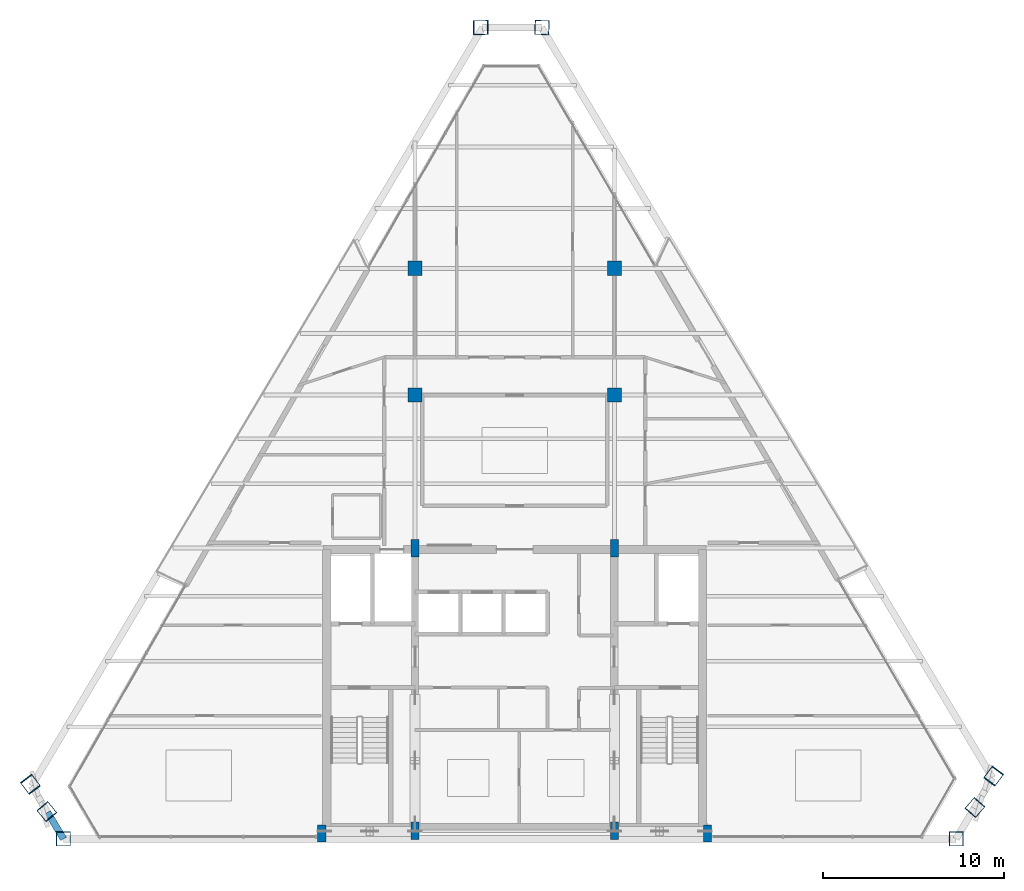
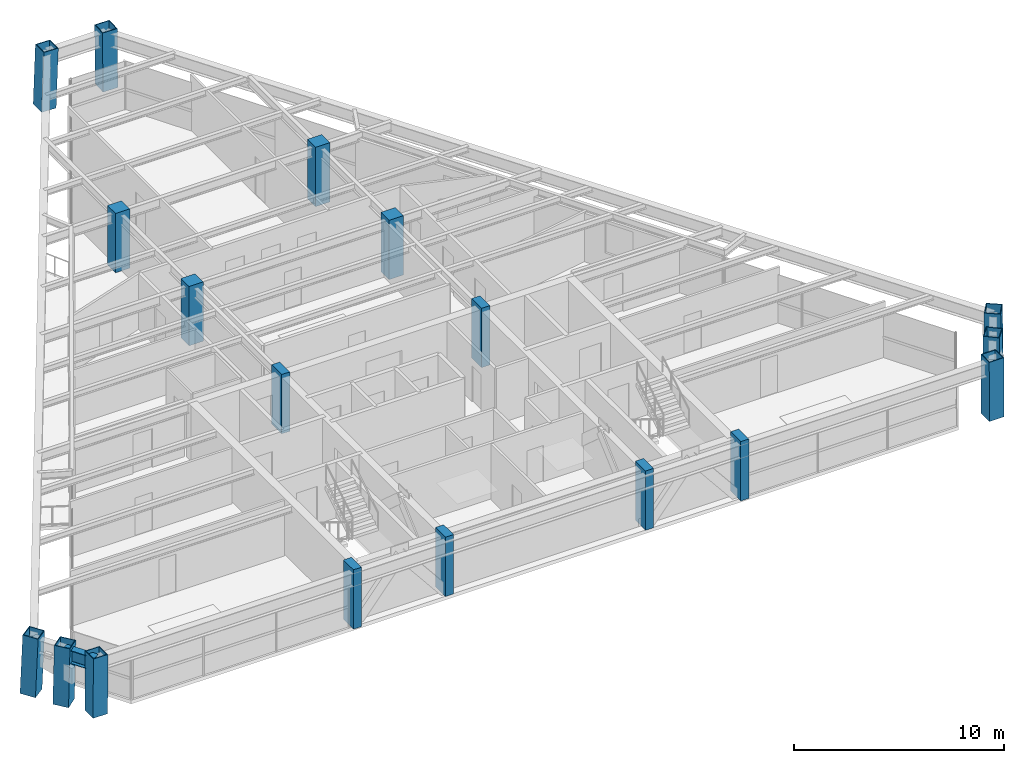
# One storey, part 1 of 13: 18 columns, 1 beam.
"""IFC4 building model written with IfcOpenShell, lengths in metres."""

from ifc_helpers import new_model, si_unit, direction, frame, origin, origin_2d, place, context, subcontext, project, spatial, rectangle, hollow_rectangle, i_section, extrude, source, transform, mapped, material, material_profile, profile_set, type_object, type_shapes, element, save


model = new_model("IFC4")

# Units and contexts
model_context = context("Model", 3, precision=1e-05, world=origin(), true_north=direction((0.0, 1.0)))
body_context = subcontext(model_context, "Body", "Model", "MODEL_VIEW")
ifc_project = project(units=[si_unit("LENGTHUNIT", "METRE"), si_unit("AREAUNIT", "SQUARE_METRE"), si_unit("VOLUMEUNIT", "CUBIC_METRE"), si_unit("PLANEANGLEUNIT", "RADIAN"), si_unit("MASSUNIT", "GRAM", prefix="KILO")], contexts=[model_context])

# Site, building, storey
site_placement = place(None, origin())
site = spatial("IfcSite", under=ifc_project, at=site_placement, CompositionType="ELEMENT")
building_placement = place(site_placement, origin())
building = spatial("IfcBuilding", under=site, at=building_placement, Name="Varnakhor Terracotta Tower", CompositionType="ELEMENT")
storey_placement = place(building_placement, frame((0.0, 0.0, 286.800048828125)))
storey = spatial("IfcBuildingStorey", under=building, at=storey_placement, Name="L75", CompositionType="ELEMENT", Elevation=286.800048828125)

# Columns
ifc_material_1 = material(Name="Concrete C50/60", Category="concrete")
ifc_material_profile_1 = material_profile(ifc_material_1, rectangle(XDim=0.449951171875, YDim=0.949951171875, at=origin_2d()), Name="RC PILASTER 950x450")
ifc_profile_set_1 = profile_set([ifc_material_profile_1], Name="Concrete C50/60")
column_type_1 = type_object("IfcColumnType", Name="COL-PIL-950x450", PredefinedType="PILASTER", material=ifc_profile_set_1)
shared_shape_1 = source(origin(), body_context, "Body", "SweptSolid", [
    extrude(rectangle(XDim=0.449951171875, YDim=0.949951171875, at=origin_2d()), origin(), (0.0, 0.0, 1.0), 3.449951171875),
])
for number, where, z_axis, x_axis, name in (
    (1, (-10.64990234375, 0.300048828125, 0.0), (0.0, 0.0, 1.0), (1.0, 0.0, 0.0), "L75 Core Pilaster CP1"),
    (2, (-5.5, 0.449951171875, 0.0), (0.0, 0.0, 1.0), (1.0, 0.0, 0.0), "L75 Core Pilaster CP2"),
    (3, (5.5, 0.449951171875, 0.0), (0.0, 0.0, 1.0), (1.0, 0.0, 0.0), "L75 Core Pilaster CP3"),
    (4, (10.64990234375, 0.300048828125, 0.0), (0.0, 0.0, 1.0), (1.0, 0.0, 0.0), "L75 Core Pilaster CP4"),
    (5, (-5.5, 16.050048828125, 0.0), (0.0, 0.0, 1.0), (1.0, 0.0, 0.0), "L75 Core Pilaster CP5"),
    (6, (5.5, 16.050048828125, 0.0), (0.0, 0.0, 1.0), (1.0, 0.0, 0.0), "L75 Core Pilaster CP6"),
):
    element("IfcColumn", number, at=place(storey_placement, frame(where, z_axis=z_axis, x_axis=x_axis)), inside=storey, type_object=column_type_1, Name=name, PredefinedType="PILASTER", context=body_context, shape_type="MappedRepresentation", body=[
        mapped(shared_shape_1, transform((0.0, 0.0, 0.0), scale=1.0)),
    ])
ifc_material_profile_2 = material_profile(ifc_material_1, rectangle(XDim=0.780029296875, YDim=0.780029296875, at=origin_2d()), Name="RC 780x780")
ifc_profile_set_2 = profile_set([ifc_material_profile_2], Name="Concrete C50/60")
column_type_2 = type_object("IfcColumnType", Name="COL-RC-780", PredefinedType="COLUMN", material=ifc_profile_set_2)
shared_shape_2 = source(origin(), body_context, "Body", "SweptSolid", [
    extrude(rectangle(XDim=0.780029296875, YDim=0.780029296875, at=origin_2d()), origin(), (0.0, 0.0, 1.0), 3.449951171875),
])
for number, where, z_axis, x_axis, name in (
    (7, (-5.5, 24.5, 0.0), (0.0, 0.0, 1.0), (1.0, 0.0, 0.0), "L75 Interior Tower Column IC1"),
    (8, (5.5, 24.5, 0.0), (0.0, 0.0, 1.0), (1.0, 0.0, 0.0), "L75 Interior Tower Column IC2"),
    (9, (-5.5, 31.5, 0.0), (0.0, 0.0, 1.0), (1.0, 0.0, 0.0), "L75 Interior Tower Column IC3"),
    (10, (5.5, 31.5, 0.0), (0.0, 0.0, 1.0), (1.0, 0.0, 0.0), "L75 Interior Tower Column IC4"),
):
    element("IfcColumn", number, at=place(storey_placement, frame(where, z_axis=z_axis, x_axis=x_axis)), inside=storey, type_object=column_type_2, Name=name, PredefinedType="COLUMN", context=body_context, shape_type="MappedRepresentation", body=[
        mapped(shared_shape_2, transform((0.0, 0.0, 0.0), scale=1.0)),
    ])
ifc_material_2 = material(Name="Steel S355", Category="steel")
ifc_material_profile_3 = material_profile(ifc_material_2, hollow_rectangle(XDim=0.800048828125, YDim=0.800048828125, WallThickness=0.0400390625, at=origin_2d()), Name="BOX 800x800x40")
ifc_profile_set_3 = profile_set([ifc_material_profile_3], Name="Steel S355")
column_type_3 = type_object("IfcColumnType", Name="COL-MEGA-800", PredefinedType="COLUMN", material=ifc_profile_set_3)
shared_shape_3 = source(origin(), body_context, "Body", "SweptSolid", [
    extrude(hollow_rectangle(XDim=0.800048828125, YDim=0.800048828125, WallThickness=0.0400390625, at=origin_2d()), origin(), (0.0, 0.0, 1.0), 3.44140625),
])
type_shapes(column_type_3, [shared_shape_3])
column_1_placement = place(storey_placement, frame((1.51123046875, 44.791259765625, 0.00439453125), z_axis=(-0.00900992104, 0.000354721301, 0.999959346921), x_axis=(-0.039339602292, -0.999225898229, 0.0)))
element("IfcColumn", 11, at=column_1_placement, inside=storey, type_object=column_type_3, Name="L75 Perimeter Mega-Column M5", PredefinedType="COLUMN", context=body_context, shape_type="MappedRepresentation", body=[
    mapped(shared_shape_3, transform((0.0, 0.0, 0.0), scale=1.0)),
])
shared_shape_4 = source(origin(), body_context, "Body", "SweptSolid", [
    extrude(hollow_rectangle(XDim=0.800048828125, YDim=0.800048828125, WallThickness=0.0400390625, at=origin_2d()), origin(), (0.0, 0.0, 1.0), 3.44189453125),
])
for number, where, z_axis, x_axis, name in (
    (12, (25.41455078125, 1.742919921875, 0.00439453125), (-0.013335296847, -0.015392337318, 0.999792601398), (0.75580399141, -0.654797928042, 0.0), "L75 Perimeter Mega-Column M3"),
    (13, (-25.832763671875, 1.518310546875, 0.00439453125), (0.013335117304, -0.01624330778, 0.99977914041), (0.772903591923, 0.634523472845, 0.0), "L75 Perimeter Mega-Column M8"),
):
    element("IfcColumn", number, at=place(storey_placement, frame(where, z_axis=z_axis, x_axis=x_axis)), inside=storey, type_object=column_type_3, Name=name, PredefinedType="COLUMN", context=body_context, shape_type="MappedRepresentation", body=[
        mapped(shared_shape_4, transform((0.0, 0.0, 0.0), scale=1.0)),
    ])
shared_shape_5 = source(origin(), body_context, "Body", "SweptSolid", [
    extrude(hollow_rectangle(XDim=0.800048828125, YDim=0.800048828125, WallThickness=0.0400390625, at=origin_2d()), origin(), (0.0, 0.0, 1.0), 3.443359375),
])
column_2_placement = place(storey_placement, frame((-1.892822265625, 44.791259765625, 0.00439453125), z_axis=(0.035876142437, 0.000354507336, 0.999356181113), x_axis=(-0.009880940537, 0.999951182315, 0.0)))
element("IfcColumn", 14, at=column_2_placement, inside=storey, type_object=column_type_3, Name="L75 Perimeter Mega-Column M6", PredefinedType="COLUMN", context=body_context, shape_type="MappedRepresentation", body=[
    mapped(shared_shape_5, transform((0.0, 0.0, 0.0), scale=1.0)),
])
shared_shape_6 = source(origin(), body_context, "Body", "SweptSolid", [
    extrude(hollow_rectangle(XDim=0.800048828125, YDim=0.800048828125, WallThickness=0.0400390625, at=origin_2d()), origin(), (0.0, 0.0, 1.0), 3.441162109375),
])
for number, where, z_axis, x_axis, name in (
    (15, (-24.916015625, 0.0, 0.00439453125), (0.002412195891, 0.0, 0.999997090651), (0.0, 1.0, 0.0), "L75 Perimeter Mega-Column M1"),
    (16, (24.376953125, 0.0, 0.00439453125), (-0.003831117681, 0.0, 0.999992661242), (0.0, -1.0, 0.0), "L75 Perimeter Mega-Column M2"),
):
    element("IfcColumn", number, at=place(storey_placement, frame(where, z_axis=z_axis, x_axis=x_axis)), inside=storey, type_object=column_type_3, Name=name, PredefinedType="COLUMN", context=body_context, shape_type="MappedRepresentation", body=[
        mapped(shared_shape_6, transform((0.0, 0.0, 0.0), scale=1.0)),
    ])
shared_shape_7 = source(origin(), body_context, "Body", "SweptSolid", [
    extrude(hollow_rectangle(XDim=0.800048828125, YDim=0.800048828125, WallThickness=0.0400390625, at=origin_2d()), origin(), (0.0, 0.0, 1.0), 3.443603515625),
])
column_3_placement = place(storey_placement, frame((26.4521484375, 3.486083984375, 0.00439453125), z_axis=(-0.022828158264, -0.030839282127, 0.999263635818), x_axis=(0.803753540319, -0.594962390765, 0.0)))
element("IfcColumn", 17, at=column_3_placement, inside=storey, type_object=column_type_3, Name="L75 Perimeter Mega-Column M4", PredefinedType="COLUMN", context=body_context, shape_type="MappedRepresentation", body=[
    mapped(shared_shape_7, transform((0.0, 0.0, 0.0), scale=1.0)),
])
shared_shape_8 = source(origin(), body_context, "Body", "SweptSolid", [
    extrude(hollow_rectangle(XDim=0.800048828125, YDim=0.800048828125, WallThickness=0.0400390625, at=origin_2d()), origin(), (0.0, 0.0, 1.0), 3.444091796875),
])
column_4_placement = place(storey_placement, frame((-26.74951171875, 3.03662109375, 0.00439453125), z_axis=(0.024244051655, -0.032396291247, 0.99918101777), x_axis=(0.800630251443, 0.599158743968, 0.0)))
element("IfcColumn", 18, at=column_4_placement, inside=storey, type_object=column_type_3, Name="L75 Perimeter Mega-Column M7", PredefinedType="COLUMN", context=body_context, shape_type="MappedRepresentation", body=[
    mapped(shared_shape_8, transform((0.0, 0.0, 0.0), scale=1.0)),
])

# Beam
ifc_material_profile_4 = material_profile(ifc_material_2, i_section(OverallWidth=0.381103515625, OverallDepth=0.77294921875, WebThickness=0.01708984375, FlangeThickness=0.027099609375, FilletRadius=0.01806640625, at=origin_2d()), Name="W30X173")
ifc_profile_set_4 = profile_set([ifc_material_profile_4], Name="Steel S355")
beam_type = type_object("IfcBeamType", Name="BM-W30X173", PredefinedType="BEAM", material=ifc_profile_set_4)
shared_shape_9 = source(origin(), body_context, "Body", "SweptSolid", [
    extrude(i_section(OverallWidth=0.381103515625, OverallDepth=0.77294921875, WebThickness=0.01708984375, FlangeThickness=0.027099609375, FilletRadius=0.01806640625, at=origin_2d()), origin(), (0.0, 0.0, 1.0), 1.706298828125),
])
beam_placement = place(storey_placement, frame((-25.786865234375, 1.46240234375, 2.853515625), z_axis=(0.515232008187, -0.85705074397, 0.0), x_axis=(0.85705074397, 0.515232008187, 0.0)))
element("IfcBeam", 19, at=beam_placement, inside=storey, type_object=beam_type, Name="L75 Perimeter Spandrel 8", PredefinedType="BEAM", context=body_context, shape_type="MappedRepresentation", body=[
    mapped(shared_shape_9, transform((0.0, 0.0, 0.0), scale=1.0)),
])

save(model, "model.ifc")
